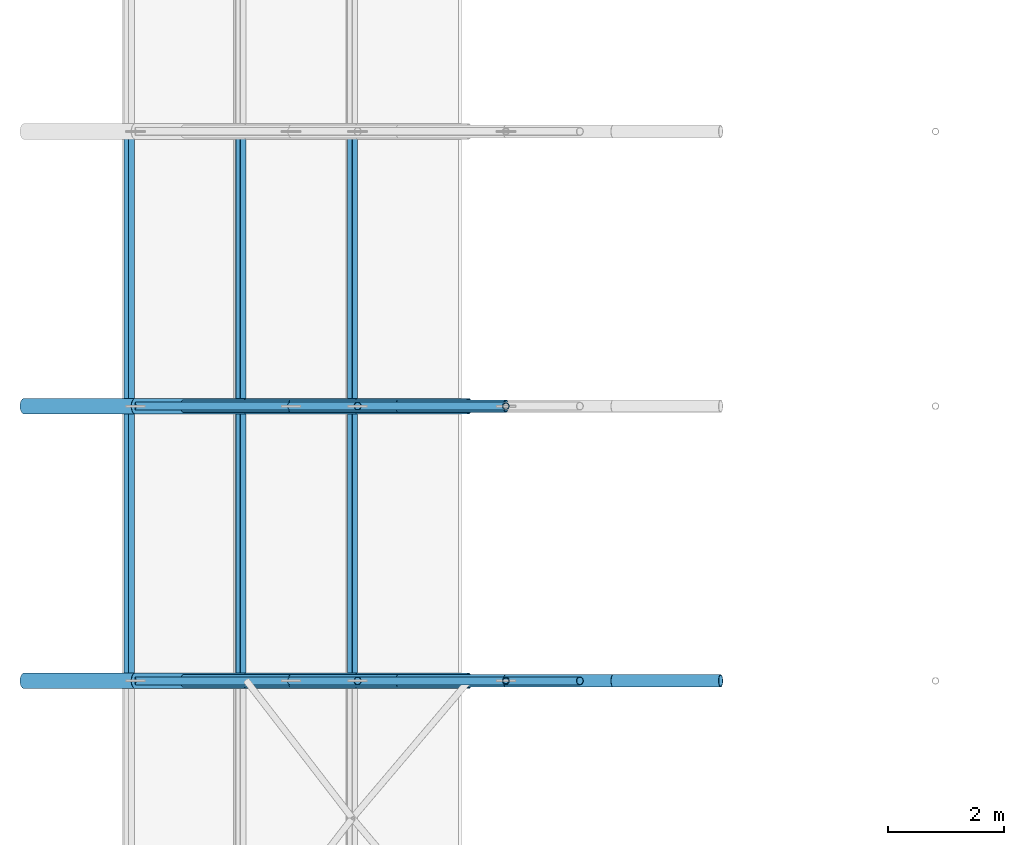
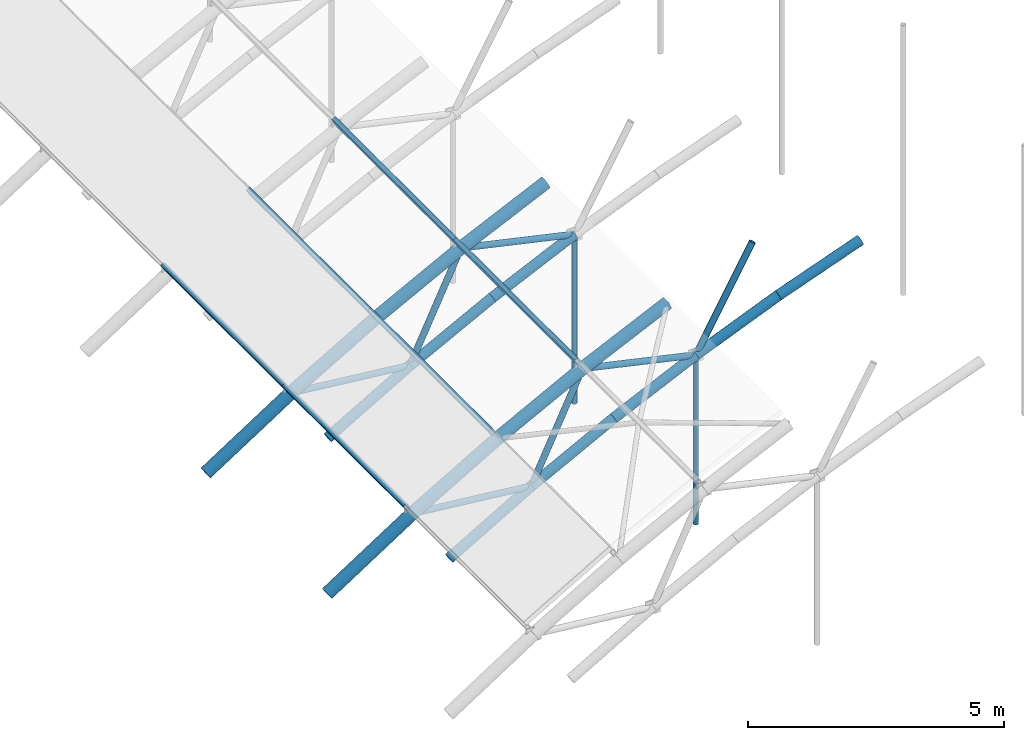
# One storey, part 7 of 50: 31 members.
"""IFC4 building model written with IfcOpenShell, lengths in metres."""

from ifc_helpers import new_model, si_unit, direction, frame, origin, origin_2d, place, context, subcontext, project, spatial, hollow_rectangle, hollow_circle, extrude, material, material_profile, profile_set, type_object, element, save


model = new_model("IFC4")

# Units and contexts
model_context = context("Model", 3, precision=1e-05, world=origin(), true_north=direction((0.0, 1.0)))
body_context = subcontext(model_context, "Body", "Model", "MODEL_VIEW")
ifc_project = project(units=[si_unit("LENGTHUNIT", "METRE"), si_unit("AREAUNIT", "SQUARE_METRE"), si_unit("VOLUMEUNIT", "CUBIC_METRE"), si_unit("PLANEANGLEUNIT", "RADIAN"), si_unit("MASSUNIT", "GRAM", prefix="KILO")], contexts=[model_context])

# Site, building, storey
site_placement = place(None, origin())
site = spatial("IfcSite", under=ifc_project, at=site_placement, CompositionType="ELEMENT")
building_placement = place(site_placement, origin())
building = spatial("IfcBuilding", under=site, at=building_placement, Name="Elbe Cascade School", CompositionType="ELEMENT")
storey_placement = place(building_placement, frame((0.0, 0.0, 15.300048828125)))
storey = spatial("IfcBuildingStorey", under=building, at=storey_placement, Name="L04", CompositionType="ELEMENT", Elevation=15.300048828125)

# Members
ifc_material_1 = material(Name="Steel S355J2H", Category="steel")
ifc_material_profile_1 = material_profile(ifc_material_1, hollow_circle(Radius=0.109619140625, WallThickness=0.012451171875, at=origin_2d()), Name="CHS 219.1x12.5")
ifc_profile_set_1 = profile_set([ifc_material_profile_1], Name="Steel S355J2H")
member_type_1 = type_object("IfcMemberType", Name="Hall rib bottom chord CHS 219.1x12.5", PredefinedType="CHORD", material=ifc_profile_set_1)
member_1_placement = place(storey_placement, frame((9.857177734375, 45.75, -0.509521484375), z_axis=(0.864836718866, 0.0, 0.502053233931), x_axis=(0.0, 1.0, 0.0)))
element("IfcMember", 1, at=member_1_placement, inside=storey, type_object=member_type_1, Name="Hall rib bottom chord CHS 219.1x12.5 M3", PredefinedType="CHORD", context=body_context, shape_type="SweptSolid", body=[
    extrude(hollow_circle(Radius=0.109619140625, WallThickness=0.012451171875, at=origin_2d()), origin(), (0.0, 0.0, 1.0), 2.1474609375),
])
member_2_placement = place(storey_placement, frame((11.71435546875, 45.75, 0.568603515625), z_axis=(0.886913089016, 0.0, 0.461936329523), x_axis=(0.0, 1.0, 0.0)))
element("IfcMember", 2, at=member_2_placement, inside=storey, type_object=member_type_1, Name="Hall rib bottom chord CHS 219.1x12.5 M3", PredefinedType="CHORD", context=body_context, shape_type="SweptSolid", body=[
    extrude(hollow_circle(Radius=0.109619140625, WallThickness=0.012451171875, at=origin_2d()), origin(), (0.0, 0.0, 1.0), 2.093994140625),
])
member_3_placement = place(storey_placement, frame((13.571533203125, 45.75, 1.535888671875), z_axis=(0.90670626979, 0.0, 0.421762658759), x_axis=(0.0, 1.0, 0.0)))
element("IfcMember", 3, at=member_3_placement, inside=storey, type_object=member_type_1, Name="Hall rib bottom chord CHS 219.1x12.5 M3", PredefinedType="CHORD", context=body_context, shape_type="SweptSolid", body=[
    extrude(hollow_circle(Radius=0.109619140625, WallThickness=0.012451171875, at=origin_2d()), origin(), (0.0, 0.0, 1.0), 2.048095703125),
])
member_4_placement = place(storey_placement, frame((15.428466796875, 45.75, 2.399658203125), z_axis=(0.924348085413, 0.0, 0.381550281083), x_axis=(0.0, 1.0, 0.0)))
element("IfcMember", 4, at=member_4_placement, inside=storey, type_object=member_type_1, Name="Hall rib bottom chord CHS 219.1x12.5 M3", PredefinedType="CHORD", context=body_context, shape_type="SweptSolid", body=[
    extrude(hollow_circle(Radius=0.109619140625, WallThickness=0.012451171875, at=origin_2d()), origin(), (0.0, 0.0, 1.0), 2.00927734375),
])
member_5_placement = place(storey_placement, frame((17.28564453125, 45.75, 3.166259765625), z_axis=(0.939919624861, 0.0, 0.341395809582), x_axis=(0.0, 1.0, 0.0)))
element("IfcMember", 5, at=member_5_placement, inside=storey, type_object=member_type_1, Name="Hall rib bottom chord CHS 219.1x12.5 M3", PredefinedType="CHORD", context=body_context, shape_type="SweptSolid", body=[
    extrude(hollow_circle(Radius=0.109619140625, WallThickness=0.012451171875, at=origin_2d()), origin(), (0.0, 0.0, 1.0), 1.975830078125),
])
member_6_placement = place(storey_placement, frame((9.857177734375, 50.5, -0.509521484375), z_axis=(0.864836718866, 0.0, 0.502053233931), x_axis=(0.0, 1.0, 0.0)))
element("IfcMember", 6, at=member_6_placement, inside=storey, type_object=member_type_1, Name="Hall rib bottom chord CHS 219.1x12.5 M3", PredefinedType="CHORD", context=body_context, shape_type="SweptSolid", body=[
    extrude(hollow_circle(Radius=0.109619140625, WallThickness=0.012451171875, at=origin_2d()), origin(), (0.0, 0.0, 1.0), 2.1474609375),
])
member_7_placement = place(storey_placement, frame((11.71435546875, 50.5, 0.568603515625), z_axis=(0.886913089016, 0.0, 0.461936329523), x_axis=(0.0, 1.0, 0.0)))
element("IfcMember", 7, at=member_7_placement, inside=storey, type_object=member_type_1, Name="Hall rib bottom chord CHS 219.1x12.5 M3", PredefinedType="CHORD", context=body_context, shape_type="SweptSolid", body=[
    extrude(hollow_circle(Radius=0.109619140625, WallThickness=0.012451171875, at=origin_2d()), origin(), (0.0, 0.0, 1.0), 2.093994140625),
])
member_8_placement = place(storey_placement, frame((13.571533203125, 50.5, 1.535888671875), z_axis=(0.90670626979, 0.0, 0.421762658759), x_axis=(0.0, 1.0, 0.0)))
element("IfcMember", 8, at=member_8_placement, inside=storey, type_object=member_type_1, Name="Hall rib bottom chord CHS 219.1x12.5 M3", PredefinedType="CHORD", context=body_context, shape_type="SweptSolid", body=[
    extrude(hollow_circle(Radius=0.109619140625, WallThickness=0.012451171875, at=origin_2d()), origin(), (0.0, 0.0, 1.0), 2.048095703125),
])
ifc_material_2 = material(Name="Steel S355J2H", Category="steel")
ifc_material_profile_2 = material_profile(ifc_material_2, hollow_circle(Radius=0.136474609375, WallThickness=0.012451171875, at=origin_2d()), Name="CHS 273x12.5")
ifc_profile_set_2 = profile_set([ifc_material_profile_2], Name="Steel S355J2H")
member_type_2 = type_object("IfcMemberType", Name="Hall rib top chord CHS 273x12.5", PredefinedType="CHORD", material=ifc_profile_set_2)
member_9_placement = place(storey_placement, frame((7.1005859375, 45.75, -0.384765625), z_axis=(0.840219764602, 0.0, 0.542246020891), x_axis=(0.0, 1.0, 0.0)))
element("IfcMember", 9, at=member_9_placement, inside=storey, type_object=member_type_2, Name="Hall rib top chord CHS 273x12.5 M2", PredefinedType="CHORD", context=body_context, shape_type="SweptSolid", body=[
    extrude(hollow_circle(Radius=0.136474609375, WallThickness=0.012451171875, at=origin_2d()), origin(), (0.0, 0.0, 1.0), 2.286865234375),
])
member_10_placement = place(storey_placement, frame((9.02197265625, 45.75, 0.855224609375), z_axis=(0.86482126995, 0.0, 0.502079845286), x_axis=(0.0, 1.0, 0.0)))
element("IfcMember", 10, at=member_10_placement, inside=storey, type_object=member_type_2, Name="Hall rib top chord CHS 273x12.5 M2", PredefinedType="CHORD", context=body_context, shape_type="SweptSolid", body=[
    extrude(hollow_circle(Radius=0.136474609375, WallThickness=0.012451171875, at=origin_2d()), origin(), (0.0, 0.0, 1.0), 2.2216796875),
])
member_11_placement = place(storey_placement, frame((10.943359375, 45.75, 1.970703125), z_axis=(0.886958329454, 0.0, 0.461849457954), x_axis=(0.0, 1.0, 0.0)))
element("IfcMember", 11, at=member_11_placement, inside=storey, type_object=member_type_2, Name="Hall rib top chord CHS 273x12.5 M2", PredefinedType="CHORD", context=body_context, shape_type="SweptSolid", body=[
    extrude(hollow_circle(Radius=0.136474609375, WallThickness=0.012451171875, at=origin_2d()), origin(), (0.0, 0.0, 1.0), 2.166259765625),
])
member_12_placement = place(storey_placement, frame((12.86474609375, 45.75, 2.97119140625), z_axis=(0.906697546089, 0.0, 0.421781412482), x_axis=(0.0, 1.0, 0.0)))
element("IfcMember", 12, at=member_12_placement, inside=storey, type_object=member_type_2, Name="Hall rib top chord CHS 273x12.5 M2", PredefinedType="CHORD", context=body_context, shape_type="SweptSolid", body=[
    extrude(hollow_circle(Radius=0.136474609375, WallThickness=0.012451171875, at=origin_2d()), origin(), (0.0, 0.0, 1.0), 2.119140625),
])
member_13_placement = place(storey_placement, frame((7.1005859375, 50.5, -0.384765625), z_axis=(0.840219764602, 0.0, 0.542246020891), x_axis=(0.0, 1.0, 0.0)))
element("IfcMember", 13, at=member_13_placement, inside=storey, type_object=member_type_2, Name="Hall rib top chord CHS 273x12.5 M2", PredefinedType="CHORD", context=body_context, shape_type="SweptSolid", body=[
    extrude(hollow_circle(Radius=0.136474609375, WallThickness=0.012451171875, at=origin_2d()), origin(), (0.0, 0.0, 1.0), 2.286865234375),
])
member_14_placement = place(storey_placement, frame((9.02197265625, 50.5, 0.855224609375), z_axis=(0.86482126995, 0.0, 0.502079845286), x_axis=(0.0, 1.0, 0.0)))
element("IfcMember", 14, at=member_14_placement, inside=storey, type_object=member_type_2, Name="Hall rib top chord CHS 273x12.5 M2", PredefinedType="CHORD", context=body_context, shape_type="SweptSolid", body=[
    extrude(hollow_circle(Radius=0.136474609375, WallThickness=0.012451171875, at=origin_2d()), origin(), (0.0, 0.0, 1.0), 2.2216796875),
])
member_15_placement = place(storey_placement, frame((10.943359375, 50.5, 1.970703125), z_axis=(0.886958329454, 0.0, 0.461849457954), x_axis=(0.0, 1.0, 0.0)))
element("IfcMember", 15, at=member_15_placement, inside=storey, type_object=member_type_2, Name="Hall rib top chord CHS 273x12.5 M2", PredefinedType="CHORD", context=body_context, shape_type="SweptSolid", body=[
    extrude(hollow_circle(Radius=0.136474609375, WallThickness=0.012451171875, at=origin_2d()), origin(), (0.0, 0.0, 1.0), 2.166259765625),
])
member_16_placement = place(storey_placement, frame((12.86474609375, 50.5, 2.97119140625), z_axis=(0.906697546089, 0.0, 0.421781412482), x_axis=(0.0, 1.0, 0.0)))
element("IfcMember", 16, at=member_16_placement, inside=storey, type_object=member_type_2, Name="Hall rib top chord CHS 273x12.5 M2", PredefinedType="CHORD", context=body_context, shape_type="SweptSolid", body=[
    extrude(hollow_circle(Radius=0.136474609375, WallThickness=0.012451171875, at=origin_2d()), origin(), (0.0, 0.0, 1.0), 2.119140625),
])
ifc_material_3 = material(Name="Steel S355J2H", Category="steel")
ifc_material_profile_3 = material_profile(ifc_material_3, hollow_circle(Radius=0.06982421875, WallThickness=0.008056640625, at=origin_2d()), Name="CHS 139.7x8")
ifc_profile_set_3 = profile_set([ifc_material_profile_3], Name="Steel S355J2H")
member_type_3 = type_object("IfcMemberType", Name="Hall rib web CHS 139.7x8", PredefinedType="BRACE", material=ifc_profile_set_3)
member_17_placement = place(storey_placement, frame((9.02197265625, 45.75, 0.855224609375), z_axis=(0.994381241781, 0.0, -0.1058581409), x_axis=(0.0, 1.0, 0.0)))
element("IfcMember", 17, at=member_17_placement, inside=storey, type_object=member_type_3, Name="Hall rib web CHS 139.7x8 M4", PredefinedType="BRACE", context=body_context, shape_type="SweptSolid", body=[
    extrude(hollow_circle(Radius=0.06982421875, WallThickness=0.008056640625, at=origin_2d()), origin(), (0.0, 0.0, 1.0), 2.70751953125),
])
member_18_placement = place(storey_placement, frame((11.71435546875, 45.75, 0.568603515625), z_axis=(0.431860834408, 0.0, 0.901940252846), x_axis=(0.0, 1.0, 0.0)))
element("IfcMember", 18, at=member_18_placement, inside=storey, type_object=member_type_3, Name="Hall rib web CHS 139.7x8 M4", PredefinedType="BRACE", context=body_context, shape_type="SweptSolid", body=[
    extrude(hollow_circle(Radius=0.06982421875, WallThickness=0.008056640625, at=origin_2d()), origin(), (0.0, 0.0, 1.0), 2.663818359375),
])
member_19_placement = place(storey_placement, frame((12.86474609375, 45.75, 2.97119140625), z_axis=(0.976040308699, 0.0, -0.217589787893), x_axis=(0.0, 1.0, 0.0)))
element("IfcMember", 19, at=member_19_placement, inside=storey, type_object=member_type_3, Name="Hall rib web CHS 139.7x8 M4", PredefinedType="BRACE", context=body_context, shape_type="SweptSolid", body=[
    extrude(hollow_circle(Radius=0.06982421875, WallThickness=0.008056640625, at=origin_2d()), origin(), (0.0, 0.0, 1.0), 2.626708984375),
])
member_20_placement = place(storey_placement, frame((15.428466796875, 45.75, 2.399658203125), z_axis=(0.492822683539, 0.0, 0.870129761926), x_axis=(0.0, 1.0, 0.0)))
element("IfcMember", 20, at=member_20_placement, inside=storey, type_object=member_type_3, Name="Hall rib web CHS 139.7x8 M4", PredefinedType="BRACE", context=body_context, shape_type="SweptSolid", body=[
    extrude(hollow_circle(Radius=0.06982421875, WallThickness=0.008056640625, at=origin_2d()), origin(), (0.0, 0.0, 1.0), 2.595458984375),
])
member_21_placement = place(storey_placement, frame((9.02197265625, 50.5, 0.855224609375), z_axis=(0.994381241781, 0.0, -0.1058581409), x_axis=(0.0, 1.0, 0.0)))
element("IfcMember", 21, at=member_21_placement, inside=storey, type_object=member_type_3, Name="Hall rib web CHS 139.7x8 M4", PredefinedType="BRACE", context=body_context, shape_type="SweptSolid", body=[
    extrude(hollow_circle(Radius=0.06982421875, WallThickness=0.008056640625, at=origin_2d()), origin(), (0.0, 0.0, 1.0), 2.70751953125),
])
member_22_placement = place(storey_placement, frame((11.71435546875, 50.5, 0.568603515625), z_axis=(0.431860834408, 0.0, 0.901940252846), x_axis=(0.0, 1.0, 0.0)))
element("IfcMember", 22, at=member_22_placement, inside=storey, type_object=member_type_3, Name="Hall rib web CHS 139.7x8 M4", PredefinedType="BRACE", context=body_context, shape_type="SweptSolid", body=[
    extrude(hollow_circle(Radius=0.06982421875, WallThickness=0.008056640625, at=origin_2d()), origin(), (0.0, 0.0, 1.0), 2.663818359375),
])
member_23_placement = place(storey_placement, frame((12.86474609375, 50.5, 2.97119140625), z_axis=(0.976040308699, 0.0, -0.217589787893), x_axis=(0.0, 1.0, 0.0)))
element("IfcMember", 23, at=member_23_placement, inside=storey, type_object=member_type_3, Name="Hall rib web CHS 139.7x8 M4", PredefinedType="BRACE", context=body_context, shape_type="SweptSolid", body=[
    extrude(hollow_circle(Radius=0.06982421875, WallThickness=0.008056640625, at=origin_2d()), origin(), (0.0, 0.0, 1.0), 2.626708984375),
])
ifc_material_4 = material(Name="Steel S355J2H", Category="steel")
ifc_material_profile_4 = material_profile(ifc_material_4, hollow_rectangle(XDim=0.10009765625, YDim=0.199951171875, WallThickness=0.008056640625, InnerFilletRadius=0.008056640625, OuterFilletRadius=0.011962890625, at=origin_2d()), Name="RHS 200x100x8")
ifc_profile_set_4 = profile_set([ifc_material_profile_4], Name="Steel S355J2H")
member_type_4 = type_object("IfcMemberType", Name="Hall roof purlin RHS 200x100x8", PredefinedType="PURLIN", material=ifc_profile_set_4)
for number, where, z_axis, x_axis, name in (
    (24, (8.9140625, 45.75, 1.03125), (0.0, 1.0, 0.0), (-0.852940758882, 0.0, -0.52200772201), "Hall roof purlin RHS 200x100x8 M8"),
    (25, (8.9140625, 50.5, 1.03125), (0.0, 1.0, 0.0), (-0.852940758882, 0.0, -0.52200772201), "Hall roof purlin RHS 200x100x8 M8"),
    (26, (10.84375, 45.75, 2.151611328125), (0.0, 1.0, 0.0), (-0.876251912848, 0.0, -0.481853281851), "Hall roof purlin RHS 200x100x8 M8"),
    (27, (10.84375, 50.5, 2.151611328125), (0.0, 1.0, 0.0), (-0.876251912848, 0.0, -0.481853281851), "Hall roof purlin RHS 200x100x8 M8"),
    (28, (12.7734375, 45.75, 3.156494140625), (0.0, 1.0, 0.0), (-0.897163381573, 0.0, -0.441698841706), "Hall roof purlin RHS 200x100x8 M8"),
    (29, (12.7734375, 50.5, 3.156494140625), (0.0, 1.0, 0.0), (-0.897163381573, 0.0, -0.441698841706), "Hall roof purlin RHS 200x100x8 M8"),
):
    element("IfcMember", number, at=place(storey_placement, frame(where, z_axis=z_axis, x_axis=x_axis)), inside=storey, type_object=member_type_4, Name=name, PredefinedType="PURLIN", context=body_context, shape_type="SweptSolid", body=[
        extrude(hollow_rectangle(XDim=0.10009765625, YDim=0.199951171875, WallThickness=0.008056640625, InnerFilletRadius=0.008056640625, OuterFilletRadius=0.011962890625, at=origin_2d()), origin(), (0.0, 0.0, 1.0), 4.75),
    ])
ifc_material_5 = material(Name="Steel S355J2H", Category="steel")
ifc_material_profile_5 = material_profile(ifc_material_5, hollow_circle(Radius=0.05712890625, WallThickness=0.00634765625, at=origin_2d()), Name="CHS 114.3x6.3")
ifc_profile_set_5 = profile_set([ifc_material_profile_5], Name="Steel S355J2H")
member_type_5 = type_object("IfcMemberType", Name="Hall tie hanger CHS 114.3x6.3", PredefinedType="POST", material=ifc_profile_set_5)
for number, where, z_axis, x_axis, name in (
    (30, (15.428466796875, 45.75, -1.623779296875), (0.0, 0.0, 1.0), (1.0, 0.0, 0.0), "Hall tie hanger CHS 114.3x6.3 M7"),
    (31, (15.428466796875, 50.5, -1.623779296875), (0.0, 0.0, 1.0), (1.0, 0.0, 0.0), "Hall tie hanger CHS 114.3x6.3 M7"),
):
    element("IfcMember", number, at=place(storey_placement, frame(where, z_axis=z_axis, x_axis=x_axis)), inside=storey, type_object=member_type_5, Name=name, PredefinedType="POST", context=body_context, shape_type="SweptSolid", body=[
        extrude(hollow_circle(Radius=0.05712890625, WallThickness=0.00634765625, at=origin_2d()), origin(), (0.0, 0.0, 1.0), 3.90380859375),
    ])

save(model, "model.ifc")
